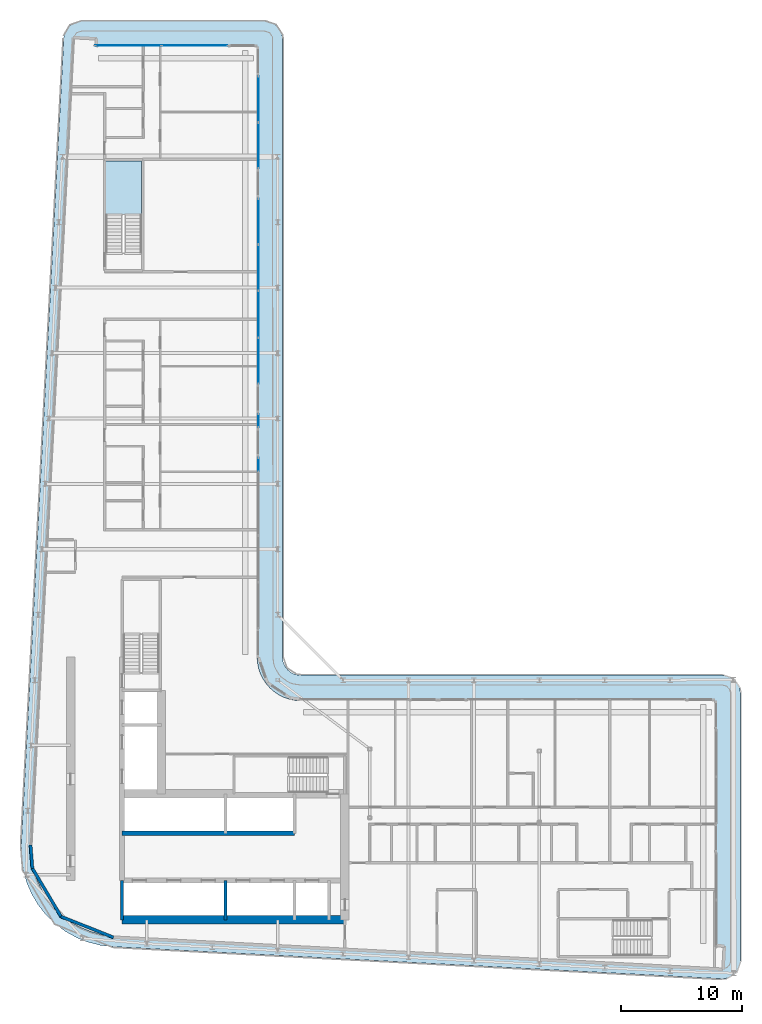
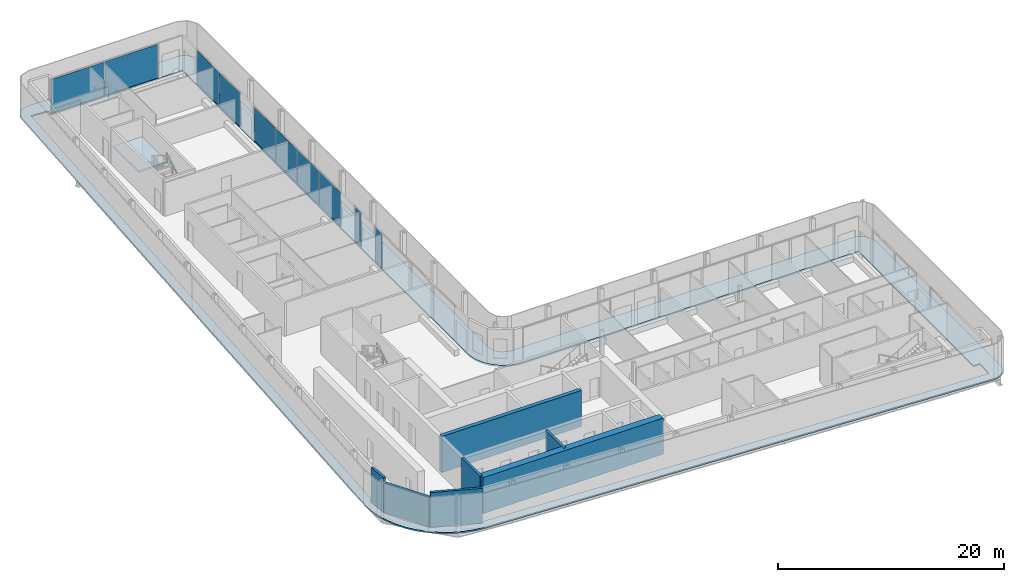
# One storey, part 9 of 22: 10 plates, 7 walls, 2 slabs, 7 elements without a shape of their own.
"""IFC4 building model written with IfcOpenShell, lengths in metres."""

from ifc_helpers import new_model, si_unit, direction, frame, frame_2d, origin, origin_2d, place, context, subcontext, project, spatial, polyline, rectangle, outline, extrude, material, layer, layer_set, type_object, element, aggregate, save


model = new_model("IFC4")

# Units and contexts
model_context = context("Model", 3, precision=1e-05, world=origin(), true_north=direction((0.0, 1.0)))
body_context = subcontext(model_context, "Body", "Model", "MODEL_VIEW")
ifc_project = project(units=[si_unit("LENGTHUNIT", "METRE"), si_unit("AREAUNIT", "SQUARE_METRE"), si_unit("VOLUMEUNIT", "CUBIC_METRE"), si_unit("PLANEANGLEUNIT", "RADIAN"), si_unit("MASSUNIT", "GRAM", prefix="KILO")], contexts=[model_context])

# Site, building, storey
site_placement = place(None, origin())
site = spatial("IfcSite", under=ifc_project, at=site_placement, CompositionType="ELEMENT")
building_placement = place(site_placement, origin())
building = spatial("IfcBuilding", under=site, at=building_placement, Name="Kheshtan School and Residences Tower", CompositionType="ELEMENT")
storey_placement = place(building_placement, frame((0.0, 0.0, 255.199951171875)))
storey = spatial("IfcBuildingStorey", under=building, at=storey_placement, Name="L60", CompositionType="ELEMENT", Elevation=255.199951171875)

# Curtain wall, plates
ifc_material_1 = material(Name="Clear low-e glass in thermally broken aluminium frame", Category="aluminium")
ifc_layer_1 = layer(ifc_material_1, 0.199951171875)
ifc_layer_set_1 = layer_set([ifc_layer_1], Name="Curtain wall CW-L")
curtain_wall_type = type_object("IfcCurtainWallType", Name="Curtain wall CW-L", PredefinedType="NOTDEFINED", material=ifc_layer_set_1)
curtain_wall_1_placement = place(storey_placement, origin())
curtain_wall_1 = element("IfcCurtainWall", 1, at=curtain_wall_1_placement, inside=storey, type_object=curtain_wall_type, Name="Curtain wall CWL7", PredefinedType="NOTDEFINED")
ifc_layer_2 = layer(ifc_material_1, 0.031982421875)
ifc_layer_set_2 = layer_set([ifc_layer_2], Name="CW-L glass panel")
plate_type = type_object("IfcPlateType", Name="CW-L glass panel", PredefinedType="CURTAIN_PANEL", material=ifc_layer_set_2)
plate_1_placement = place(storey_placement, frame((35.259033203125, 98.0, 0.0), z_axis=(0.0, 0.0, 1.0), x_axis=(1.0, 0.0, 0.0)))
plate_1 = element("IfcPlate", 2, at=plate_1_placement, type_object=plate_type, Name="CWL7 panel 1.1", PredefinedType="CURTAIN_PANEL", context=body_context, shape_type="SweptSolid", body=[
    extrude(rectangle(XDim=5.4140625, YDim=0.031982421875, at=origin_2d()), origin(), (0.0, 0.0, 1.0), 3.6298828125),
])
plate_2_placement = place(storey_placement, frame((40.73291015625, 98.0, 0.0), z_axis=(0.0, 0.0, 1.0), x_axis=(1.0, 0.0, 0.0)))
plate_2 = element("IfcPlate", 3, at=plate_2_placement, type_object=plate_type, Name="CWL7 panel 2.1", PredefinedType="CURTAIN_PANEL", context=body_context, shape_type="SweptSolid", body=[
    extrude(rectangle(XDim=5.4140625, YDim=0.031982421875, at=origin_2d()), origin(), (0.0, 0.0, 1.0), 3.6298828125),
])
aggregate(curtain_wall_1, [plate_1, plate_2])

curtain_wall_2_placement = place(storey_placement, origin())
curtain_wall_2 = element("IfcCurtainWall", 4, at=curtain_wall_2_placement, inside=storey, type_object=curtain_wall_type, Name="Curtain wall CWL8", PredefinedType="NOTDEFINED")
plate_3_placement = place(storey_placement, frame((46.0, 93.5615234375, 0.0), z_axis=(0.0, 0.0, 1.0), x_axis=(0.0, -1.0, 0.0)))
plate_3 = element("IfcPlate", 5, at=plate_3_placement, type_object=plate_type, Name="CWL8 panel 1.1", PredefinedType="CURTAIN_PANEL", context=body_context, shape_type="SweptSolid", body=[
    extrude(rectangle(XDim=3.757080078125, YDim=0.031982421875, at=origin_2d()), origin(), (0.0, 0.0, 1.0), 3.6298828125),
])
plate_4_placement = place(storey_placement, frame((46.0, 89.744384765625, 0.0), z_axis=(0.0, 0.0, 1.0), x_axis=(0.0, -1.0, 0.0)))
plate_4 = element("IfcPlate", 6, at=plate_4_placement, type_object=plate_type, Name="CWL8 panel 2.1", PredefinedType="CURTAIN_PANEL", context=body_context, shape_type="SweptSolid", body=[
    extrude(rectangle(XDim=3.757080078125, YDim=0.031982421875, at=origin_2d()), origin(), (0.0, 0.0, 1.0), 3.6298828125),
])
aggregate(curtain_wall_2, [plate_3, plate_4])

curtain_wall_3_placement = place(storey_placement, origin())
curtain_wall_3 = element("IfcCurtainWall", 7, at=curtain_wall_3_placement, inside=storey, type_object=curtain_wall_type, Name="Curtain wall CWL8", PredefinedType="NOTDEFINED")
plate_5_placement = place(storey_placement, frame((46.0, 83.467529296875, 0.0), z_axis=(0.0, 0.0, 1.0), x_axis=(0.0, -1.0, 0.0)))
plate_5 = element("IfcPlate", 8, at=plate_5_placement, type_object=plate_type, Name="CWL8 panel 1.1", PredefinedType="CURTAIN_PANEL", context=body_context, shape_type="SweptSolid", body=[
    extrude(rectangle(XDim=3.757080078125, YDim=0.031982421875, at=origin_2d()), origin(), (0.0, 0.0, 1.0), 3.6298828125),
])
plate_6_placement = place(storey_placement, frame((46.0, 79.650390625, 0.0), z_axis=(0.0, 0.0, 1.0), x_axis=(0.0, -1.0, 0.0)))
plate_6 = element("IfcPlate", 9, at=plate_6_placement, type_object=plate_type, Name="CWL8 panel 2.1", PredefinedType="CURTAIN_PANEL", context=body_context, shape_type="SweptSolid", body=[
    extrude(rectangle(XDim=3.757080078125, YDim=0.031982421875, at=origin_2d()), origin(), (0.0, 0.0, 1.0), 3.6298828125),
])
aggregate(curtain_wall_3, [plate_5, plate_6])

curtain_wall_4_placement = place(storey_placement, origin())
curtain_wall_4 = element("IfcCurtainWall", 10, at=curtain_wall_4_placement, inside=storey, type_object=curtain_wall_type, Name="Curtain wall CWL8", PredefinedType="NOTDEFINED")
plate_7_placement = place(storey_placement, frame((46.0, 75.803466796875, 0.0), z_axis=(0.0, 0.0, 1.0), x_axis=(0.0, -1.0, 0.0)))
plate_7 = element("IfcPlate", 11, at=plate_7_placement, type_object=plate_type, Name="CWL8 panel 1.1", PredefinedType="CURTAIN_PANEL", context=body_context, shape_type="SweptSolid", body=[
    extrude(rectangle(XDim=3.81689453125, YDim=0.031982421875, at=origin_2d()), origin(), (0.0, 0.0, 1.0), 3.6298828125),
])
plate_8_placement = place(storey_placement, frame((46.0, 71.95654296875, 0.0), z_axis=(0.0, 0.0, 1.0), x_axis=(0.0, -1.0, 0.0)))
plate_8 = element("IfcPlate", 12, at=plate_8_placement, type_object=plate_type, Name="CWL8 panel 2.1", PredefinedType="CURTAIN_PANEL", context=body_context, shape_type="SweptSolid", body=[
    extrude(rectangle(XDim=3.757080078125, YDim=0.031982421875, at=origin_2d()), origin(), (0.0, 0.0, 1.0), 3.6298828125),
])
aggregate(curtain_wall_4, [plate_7, plate_8])

# Curtain wall, plate
curtain_wall_5_placement = place(storey_placement, origin())
curtain_wall_5 = element("IfcCurtainWall", 13, at=curtain_wall_5_placement, inside=storey, type_object=curtain_wall_type, Name="Curtain wall CWL8g", PredefinedType="NOTDEFINED")
plate_9_placement = place(storey_placement, frame((46.0, 67.01806640625, 0.0), z_axis=(0.0, 0.0, 1.0), x_axis=(0.0, -1.0, 0.0)))
plate_9 = element("IfcPlate", 14, at=plate_9_placement, type_object=plate_type, Name="CWL8g panel 1.1", PredefinedType="CURTAIN_PANEL", context=body_context, shape_type="SweptSolid", body=[
    extrude(rectangle(XDim=1.080078125, YDim=0.031982421875, at=origin_2d()), origin(), (0.0, 0.0, 1.0), 3.6298828125),
])
aggregate(curtain_wall_5, [plate_9])

curtain_wall_6_placement = place(storey_placement, origin())
curtain_wall_6 = element("IfcCurtainWall", 15, at=curtain_wall_6_placement, inside=storey, type_object=curtain_wall_type, Name="Curtain wall CWL8k", PredefinedType="NOTDEFINED")
plate_10_placement = place(storey_placement, frame((46.0, 63.39404296875, 0.0), z_axis=(0.0, 0.0, 1.0), x_axis=(0.0, -1.0, 0.0)))
plate_10 = element("IfcPlate", 16, at=plate_10_placement, type_object=plate_type, Name="CWL8k panel 1.1", PredefinedType="CURTAIN_PANEL", context=body_context, shape_type="SweptSolid", body=[
    extrude(rectangle(XDim=1.1279296875, YDim=0.031982421875, at=origin_2d()), origin(), (0.0, 0.0, 1.0), 3.6298828125),
])
aggregate(curtain_wall_6, [plate_10])

# Slab
ifc_material_2 = material(Name="Concrete C40/50", Category="concrete")
ifc_layer_3 = layer(ifc_material_2, 0.14990234375)
ifc_layer_set_3 = layer_set([ifc_layer_3], Name="Loggia balcony slab 150 Concrete C40/50")
slab_type_1 = type_object("IfcSlabType", Name="Loggia balcony slab 150 Concrete C40/50", PredefinedType="FLOOR", material=ifc_layer_set_3)
slab_1_placement = place(storey_placement, frame((0.0, 0.0, -0.14990234375)))
element("IfcSlab", 17, at=slab_1_placement, inside=storey, type_object=slab_type_1, Name="Loggia balcony slab L60", PredefinedType="FLOOR", context=body_context, shape_type="SweptSolid", body=[
    extrude(outline(polyline([(28.4580078125, 26.222900390625), (28.45703125, 26.222900390625), (28.45703125, 26.22412109375), (28.4560546875, 26.22412109375), (27.81494140625, 27.0390625), (27.281005859375, 27.93798828125), (26.867919921875, 28.89990234375), (26.583984375, 29.89990234375), (26.583984375, 29.906982421875), (26.43408203125, 30.943115234375), (26.419921875, 31.989013671875), (29.925048828125, 98.5791015625), (29.930908203125, 98.626953125), (29.930908203125, 98.6279296875), (29.929931640625, 98.6279296875), (29.929931640625, 98.62890625), (29.928955078125, 98.62890625), (29.928955078125, 98.6298828125), (29.927978515625, 98.6298828125), (29.927978515625, 98.631103515625), (29.927001953125, 98.631103515625), (29.927001953125, 98.632080078125), (29.927001953125, 98.633056640625), (29.945068359375, 98.781005859375), (29.945068359375, 98.783935546875), (29.945068359375, 98.784912109375), (29.946044921875, 98.784912109375), (29.946044921875, 98.785888671875), (29.947021484375, 98.785888671875), (29.947021484375, 98.787109375), (29.947998046875, 98.787109375), (29.948974609375, 98.787109375), (29.948974609375, 98.7880859375), (29.949951171875, 98.7880859375), (29.949951171875, 98.7890625), (29.949951171875, 98.791015625), (30.0029296875, 98.98388671875), (30.083984375, 99.175048828125), (30.18896484375, 99.35302734375), (30.31103515625, 99.507080078125), (30.31201171875, 99.507080078125), (30.31201171875, 99.508056640625), (30.31298828125, 99.508056640625), (30.31298828125, 99.509033203125), (30.31396484375, 99.509033203125), (30.31396484375, 99.510009765625), (30.31494140625, 99.510009765625), (30.31494140625, 99.510986328125), (30.31591796875, 99.510986328125), (30.31591796875, 99.511962890625), (30.31689453125, 99.511962890625), (30.31689453125, 99.512939453125), (30.318115234375, 99.512939453125), (30.322021484375, 99.512939453125), (30.322998046875, 99.512939453125), (30.322998046875, 99.513916015625), (30.468017578125, 99.656982421875), (30.468994140625, 99.656982421875), (30.468994140625, 99.657958984375), (30.469970703125, 99.657958984375), (30.469970703125, 99.658935546875), (30.470947265625, 99.658935546875), (30.470947265625, 99.659912109375), (30.471923828125, 99.659912109375), (30.471923828125, 99.660888671875), (30.472900390625, 99.660888671875), (30.472900390625, 99.662109375), (30.47412109375, 99.662109375), (30.47412109375, 99.6630859375), (30.47509765625, 99.6630859375), (30.47509765625, 99.6640625), (30.635986328125, 99.777099609375), (30.820068359375, 99.873046875), (31.007080078125, 99.943115234375), (31.013916015625, 99.943115234375), (31.217041015625, 99.986083984375), (31.423095703125, 100.0), (46.5, 100.0), (46.696044921875, 99.987060546875), (46.887939453125, 99.948974609375), (46.89501953125, 99.948974609375), (47.073974609375, 99.885986328125), (47.242919921875, 99.801025390625), (47.243896484375, 99.801025390625), (47.2470703125, 99.801025390625), (47.248046875, 99.801025390625), (47.248046875, 99.802001953125), (47.2490234375, 99.802001953125), (47.2490234375, 99.802978515625), (47.25, 99.802978515625), (47.2529296875, 99.802978515625), (47.25390625, 99.802978515625), (47.25390625, 99.802001953125), (47.2548828125, 99.802001953125), (47.2548828125, 99.801025390625), (47.256103515625, 99.801025390625), (47.256103515625, 99.800048828125), (47.257080078125, 99.800048828125), (47.257080078125, 99.799072265625), (47.258056640625, 99.799072265625), (47.258056640625, 99.798095703125), (47.412109375, 99.696044921875), (47.4130859375, 99.696044921875), (47.4130859375, 99.695068359375), (47.4140625, 99.695068359375), (47.4140625, 99.694091796875), (47.4140625, 99.68994140625), (47.4140625, 99.68896484375), (47.4150390625, 99.68896484375), (47.4150390625, 99.68798828125), (47.416015625, 99.68798828125), (47.416015625, 99.68701171875), (47.4169921875, 99.68701171875), (47.4169921875, 99.68603515625), (47.554931640625, 99.568115234375), (47.554931640625, 99.56689453125), (47.555908203125, 99.56689453125), (47.555908203125, 99.56591796875), (47.556884765625, 99.56591796875), (47.556884765625, 99.56494140625), (47.55810546875, 99.56494140625), (47.55810546875, 99.56396484375), (47.55908203125, 99.56396484375), (47.55908203125, 99.56298828125), (47.56005859375, 99.56298828125), (47.56005859375, 99.56201171875), (47.56103515625, 99.56201171875), (47.56201171875, 99.56103515625), (47.56201171875, 99.56005859375), (47.56298828125, 99.56005859375), (47.56298828125, 99.55908203125), (47.56396484375, 99.55908203125), (47.56396484375, 99.55810546875), (47.56494140625, 99.55810546875), (47.56494140625, 99.556884765625), (47.56591796875, 99.556884765625), (47.56591796875, 99.555908203125), (47.56689453125, 99.555908203125), (47.56689453125, 99.554931640625), (47.568115234375, 99.554931640625), (47.68505859375, 99.41796875), (47.68603515625, 99.41796875), (47.68603515625, 99.4169921875), (47.68701171875, 99.4169921875), (47.68701171875, 99.416015625), (47.68798828125, 99.416015625), (47.68798828125, 99.4150390625), (47.68896484375, 99.4150390625), (47.68896484375, 99.4140625), (47.68994140625, 99.4140625), (47.694091796875, 99.4140625), (47.695068359375, 99.4140625), (47.695068359375, 99.4130859375), (47.696044921875, 99.4130859375), (47.696044921875, 99.412109375), (47.797119140625, 99.259033203125), (47.798095703125, 99.259033203125), (47.798095703125, 99.258056640625), (47.799072265625, 99.258056640625), (47.799072265625, 99.257080078125), (47.800048828125, 99.257080078125), (47.800048828125, 99.256103515625), (47.801025390625, 99.256103515625), (47.801025390625, 99.2548828125), (47.802001953125, 99.2548828125), (47.802001953125, 99.25390625), (47.802978515625, 99.25390625), (47.802978515625, 99.2529296875), (47.802978515625, 99.25), (47.802978515625, 99.2490234375), (47.802001953125, 99.2490234375), (47.802001953125, 99.248046875), (47.801025390625, 99.248046875), (47.801025390625, 99.2470703125), (47.801025390625, 99.242919921875), (47.801025390625, 99.241943359375), (47.885986328125, 99.073974609375), (47.948974609375, 98.89501953125), (47.948974609375, 98.887939453125), (47.987060546875, 98.696044921875), (48.0, 98.5), (48.0, 47.5), (48.012939453125, 47.303955078125), (48.051025390625, 47.113037109375), (48.051025390625, 47.10693359375), (48.051025390625, 47.10595703125), (48.114013671875, 46.926025390625), (48.200927734375, 46.75), (48.31005859375, 46.5869140625), (48.431884765625, 46.444091796875), (48.43310546875, 46.444091796875), (48.43310546875, 46.443115234375), (48.43408203125, 46.443115234375), (48.43408203125, 46.44189453125), (48.43505859375, 46.44189453125), (48.43505859375, 46.44091796875), (48.43603515625, 46.44091796875), (48.43603515625, 46.43994140625), (48.43701171875, 46.43994140625), (48.43701171875, 46.43896484375), (48.43798828125, 46.43896484375), (48.43896484375, 46.43798828125), (48.43896484375, 46.43701171875), (48.43994140625, 46.43701171875), (48.43994140625, 46.43603515625), (48.44091796875, 46.43603515625), (48.44091796875, 46.43505859375), (48.44189453125, 46.43505859375), (48.44189453125, 46.43408203125), (48.443115234375, 46.43408203125), (48.443115234375, 46.43310546875), (48.444091796875, 46.43310546875), (48.444091796875, 46.431884765625), (48.5869140625, 46.31005859375), (48.75, 46.200927734375), (48.926025390625, 46.114013671875), (49.10595703125, 46.051025390625), (49.10693359375, 46.051025390625), (49.113037109375, 46.051025390625), (49.303955078125, 46.012939453125), (49.5, 46.0), (84.300048828125, 46.0), (84.49609375, 45.987060546875), (84.68798828125, 45.948974609375), (84.695068359375, 45.948974609375), (84.8740234375, 45.885986328125), (85.0419921875, 45.801025390625), (85.04296875, 45.801025390625), (85.047119140625, 45.801025390625), (85.048095703125, 45.801025390625), (85.048095703125, 45.802001953125), (85.049072265625, 45.802001953125), (85.049072265625, 45.802978515625), (85.050048828125, 45.802978515625), (85.052978515625, 45.802978515625), (85.053955078125, 45.802978515625), (85.053955078125, 45.802001953125), (85.054931640625, 45.802001953125), (85.054931640625, 45.801025390625), (85.055908203125, 45.801025390625), (85.055908203125, 45.800048828125), (85.056884765625, 45.800048828125), (85.056884765625, 45.799072265625), (85.05810546875, 45.799072265625), (85.05810546875, 45.798095703125), (85.05908203125, 45.798095703125), (85.05908203125, 45.797119140625), (85.06005859375, 45.797119140625), (85.06005859375, 45.7958984375), (85.2119140625, 45.696044921875), (85.212890625, 45.696044921875), (85.212890625, 45.695068359375), (85.214111328125, 45.695068359375), (85.214111328125, 45.694091796875), (85.214111328125, 45.68994140625), (85.214111328125, 45.68896484375), (85.215087890625, 45.68896484375), (85.215087890625, 45.68798828125), (85.216064453125, 45.68798828125), (85.216064453125, 45.68701171875), (85.217041015625, 45.68701171875), (85.217041015625, 45.68603515625), (85.218017578125, 45.68603515625), (85.218017578125, 45.68505859375), (85.218994140625, 45.68505859375), (85.218994140625, 45.68408203125), (85.35498046875, 45.568115234375), (85.35498046875, 45.56689453125), (85.35595703125, 45.56689453125), (85.35595703125, 45.56591796875), (85.35693359375, 45.56591796875), (85.35693359375, 45.56494140625), (85.35791015625, 45.56494140625), (85.35791015625, 45.56396484375), (85.35888671875, 45.56396484375), (85.35888671875, 45.56298828125), (85.360107421875, 45.56298828125), (85.360107421875, 45.56201171875), (85.361083984375, 45.56201171875), (85.362060546875, 45.56103515625), (85.362060546875, 45.56005859375), (85.363037109375, 45.56005859375), (85.363037109375, 45.55908203125), (85.364013671875, 45.55908203125), (85.364013671875, 45.55810546875), (85.364990234375, 45.55810546875), (85.364990234375, 45.556884765625), (85.365966796875, 45.556884765625), (85.365966796875, 45.555908203125), (85.366943359375, 45.555908203125), (85.366943359375, 45.554931640625), (85.367919921875, 45.554931640625), (85.48193359375, 45.4208984375), (85.48291015625, 45.4208984375), (85.48291015625, 45.419921875), (85.48388671875, 45.419921875), (85.48388671875, 45.4189453125), (85.485107421875, 45.4189453125), (85.485107421875, 45.41796875), (85.486083984375, 45.41796875), (85.486083984375, 45.4169921875), (85.487060546875, 45.4169921875), (85.487060546875, 45.416015625), (85.488037109375, 45.416015625), (85.488037109375, 45.4150390625), (85.489013671875, 45.4150390625), (85.489013671875, 45.4140625), (85.489990234375, 45.4140625), (85.493896484375, 45.4140625), (85.4951171875, 45.4140625), (85.4951171875, 45.4130859375), (85.49609375, 45.4130859375), (85.49609375, 45.412109375), (85.593994140625, 45.261962890625), (85.594970703125, 45.261962890625), (85.594970703125, 45.260986328125), (85.595947265625, 45.260986328125), (85.595947265625, 45.260009765625), (85.596923828125, 45.260009765625), (85.596923828125, 45.259033203125), (85.597900390625, 45.259033203125), (85.597900390625, 45.258056640625), (85.59912109375, 45.258056640625), (85.59912109375, 45.257080078125), (85.60009765625, 45.257080078125), (85.60009765625, 45.256103515625), (85.60107421875, 45.256103515625), (85.60107421875, 45.2548828125), (85.60205078125, 45.2548828125), (85.60205078125, 45.25390625), (85.60302734375, 45.25390625), (85.60302734375, 45.2529296875), (85.60302734375, 45.25), (85.60302734375, 45.2490234375), (85.60205078125, 45.2490234375), (85.60205078125, 45.248046875), (85.60107421875, 45.248046875), (85.60107421875, 45.2470703125), (85.60107421875, 45.240966796875), (85.60107421875, 45.239990234375), (85.68603515625, 45.073974609375), (85.7490234375, 44.89501953125), (85.7490234375, 44.887939453125), (85.787109375, 44.696044921875), (85.800048828125, 44.5), (85.800048828125, 22.43408203125), (85.785888671875, 22.23095703125), (85.7451171875, 22.032958984375), (85.7451171875, 22.02587890625), (85.677978515625, 21.841064453125), (85.5859375, 21.660888671875), (85.470947265625, 21.49609375), (85.470947265625, 21.4951171875), (85.470947265625, 21.493896484375), (85.470947265625, 21.492919921875), (85.471923828125, 21.492919921875), (85.471923828125, 21.491943359375), (85.471923828125, 21.489990234375), (85.471923828125, 21.489013671875), (85.470947265625, 21.489013671875), (85.470947265625, 21.488037109375), (85.337890625, 21.343994140625), (85.3349609375, 21.341064453125), (85.333984375, 21.341064453125), (85.333984375, 21.340087890625), (85.3330078125, 21.340087890625), (85.3310546875, 21.340087890625), (85.330078125, 21.340087890625), (85.330078125, 21.341064453125), (85.3291015625, 21.341064453125), (85.327880859375, 21.341064453125), (85.326904296875, 21.341064453125), (85.176025390625, 21.216064453125), (85.00390625, 21.10888671875), (84.819091796875, 21.02587890625), (84.631103515625, 20.968994140625), (84.6240234375, 20.968994140625), (84.424072265625, 20.93896484375), (84.220947265625, 20.93603515625), (33.989013671875, 23.580078125), (33.94189453125, 23.5859375), (33.94091796875, 23.5859375), (33.93994140625, 23.5859375), (33.93994140625, 23.5849609375), (33.93896484375, 23.5849609375), (33.93896484375, 23.583984375), (33.93798828125, 23.583984375), (33.93798828125, 23.5830078125), (33.93701171875, 23.5830078125), (33.93701171875, 23.58203125), (33.93603515625, 23.58203125), (33.93505859375, 23.58203125), (32.952880859375, 23.697998046875), (32.949951171875, 23.697998046875), (32.948974609375, 23.697998046875), (32.948974609375, 23.698974609375), (32.947998046875, 23.698974609375), (32.947998046875, 23.699951171875), (32.947021484375, 23.699951171875), (32.947021484375, 23.700927734375), (32.947021484375, 23.702880859375), (32.947021484375, 23.7041015625), (32.946044921875, 23.7041015625), (32.946044921875, 23.705078125), (32.945068359375, 23.705078125), (32.944091796875, 23.705078125), (31.93603515625, 23.9609375), (31.928955078125, 23.9609375), (30.964111328125, 24.34912109375), (30.051025390625, 24.860107421875), (29.218994140625, 25.47900390625), (29.218994140625, 25.47998046875), (29.218017578125, 25.47998046875), (29.218017578125, 25.48095703125), (29.217041015625, 25.48095703125), (29.217041015625, 25.48193359375), (29.216064453125, 25.48193359375), (29.216064453125, 25.48291015625), (29.215087890625, 25.48291015625), (29.215087890625, 25.48388671875), (29.214111328125, 25.48388671875), (29.214111328125, 25.485107421875), (29.212890625, 25.485107421875), (29.212890625, 25.486083984375), (29.2119140625, 25.486083984375), (28.468017578125, 26.217041015625), (28.468017578125, 26.218017578125), (28.467041015625, 26.218017578125), (28.462890625, 26.218017578125), (28.4619140625, 26.218017578125), (28.4619140625, 26.218994140625), (28.4609375, 26.218994140625), (28.4609375, 26.219970703125), (28.4599609375, 26.219970703125), (28.4599609375, 26.220947265625), (28.458984375, 26.220947265625), (28.458984375, 26.221923828125), (28.4580078125, 26.221923828125), (28.4580078125, 26.222900390625)]), holes=[polyline([(29.12890625, 26.824951171875), (29.12890625, 26.823974609375), (29.1298828125, 26.823974609375), (29.1298828125, 26.822998046875), (29.131103515625, 26.822998046875), (29.131103515625, 26.822021484375), (29.132080078125, 26.822021484375), (29.132080078125, 26.821044921875), (29.133056640625, 26.821044921875), (29.133056640625, 26.820068359375), (29.134033203125, 26.820068359375), (29.7939453125, 26.173095703125), (29.7939453125, 26.172119140625), (29.794921875, 26.172119140625), (29.798095703125, 26.172119140625), (29.799072265625, 26.172119140625), (29.799072265625, 26.1708984375), (29.800048828125, 26.1708984375), (29.800048828125, 26.169921875), (29.801025390625, 26.169921875), (29.801025390625, 26.1689453125), (29.802001953125, 26.1689453125), (29.802001953125, 26.16796875), (29.802978515625, 26.16796875), (29.802978515625, 26.1669921875), (29.803955078125, 26.1669921875), (29.803955078125, 26.166015625), (30.541015625, 25.616943359375), (31.35205078125, 25.1630859375), (32.208984375, 24.819091796875), (32.2099609375, 24.819091796875), (32.216064453125, 24.819091796875), (33.114990234375, 24.590087890625), (34.06591796875, 24.47705078125), (84.238037109375, 21.8359375), (84.264892578125, 21.8369140625), (84.26611328125, 21.8369140625), (84.26708984375, 21.8369140625), (84.26708984375, 21.837890625), (84.26806640625, 21.837890625), (84.26806640625, 21.839111328125), (84.26806640625, 21.840087890625), (84.35791015625, 23.529052734375), (84.35791015625, 23.530029296875), (84.35791015625, 23.531005859375), (84.35693359375, 23.531005859375), (84.35693359375, 23.531982421875), (84.35595703125, 23.531982421875), (84.35498046875, 23.531982421875), (83.700927734375, 23.56689453125), (83.699951171875, 23.56689453125), (83.699951171875, 23.568115234375), (83.699951171875, 43.89794921875), (83.699951171875, 43.89892578125), (83.698974609375, 43.89892578125), (83.698974609375, 43.89990234375), (83.697998046875, 43.89990234375), (49.429931640625, 43.89990234375), (49.030029296875, 43.927001953125), (48.569091796875, 44.01806640625), (48.56201171875, 44.01806640625), (48.1201171875, 44.169921875), (47.697021484375, 44.37890625), (47.30810546875, 44.638916015625), (46.95703125, 44.944091796875), (46.95703125, 44.945068359375), (46.9560546875, 44.945068359375), (46.9560546875, 44.946044921875), (46.955078125, 44.946044921875), (46.955078125, 44.947021484375), (46.9541015625, 44.947021484375), (46.9541015625, 44.947998046875), (46.952880859375, 44.947998046875), (46.952880859375, 44.948974609375), (46.951904296875, 44.948974609375), (46.951904296875, 44.949951171875), (46.951904296875, 44.950927734375), (46.950927734375, 44.950927734375), (46.950927734375, 44.951904296875), (46.949951171875, 44.951904296875), (46.948974609375, 44.951904296875), (46.948974609375, 44.952880859375), (46.947998046875, 44.952880859375), (46.947998046875, 44.9541015625), (46.947021484375, 44.9541015625), (46.947021484375, 44.955078125), (46.946044921875, 44.955078125), (46.946044921875, 44.9560546875), (46.945068359375, 44.9560546875), (46.945068359375, 44.95703125), (46.944091796875, 44.95703125), (46.638916015625, 45.30810546875), (46.37890625, 45.697021484375), (46.169921875, 46.1201171875), (46.01806640625, 46.56201171875), (46.01806640625, 46.569091796875), (45.927001953125, 47.030029296875), (45.89990234375, 47.429931640625), (45.89990234375, 97.89794921875), (45.89990234375, 97.89892578125), (45.89892578125, 97.89892578125), (45.89892578125, 97.89990234375), (45.89794921875, 97.89990234375), (32.492919921875, 97.89990234375), (32.491943359375, 97.89990234375), (32.52099609375, 98.43896484375), (32.52099609375, 98.43994140625), (32.52099609375, 98.44091796875), (32.52001953125, 98.44091796875), (32.52001953125, 98.44189453125), (32.51904296875, 98.44189453125), (32.51806640625, 98.44189453125), (30.8291015625, 98.531982421875), (30.827880859375, 98.531982421875), (30.826904296875, 98.531982421875), (30.826904296875, 98.531005859375), (30.825927734375, 98.531005859375), (30.825927734375, 98.530029296875), (30.825927734375, 98.529052734375), (30.822021484375, 98.5009765625), (27.320068359375, 31.970947265625), (27.3330078125, 31.013916015625), (27.466064453125, 30.093994140625), (27.466064453125, 30.087890625), (27.466064453125, 30.0869140625), (27.718017578125, 29.200927734375), (28.0849609375, 28.345947265625), (28.55908203125, 27.550048828125), (29.126953125, 26.825927734375), (29.1279296875, 26.825927734375), (29.1279296875, 26.824951171875), (29.12890625, 26.824951171875)])]), origin(), (0.0, 0.0, 1.0), 0.14990234375),
])

# Stair, slab
stair_type = type_object("IfcStairType", Name="Exit stair, half-turn", PredefinedType="HALF_TURN_STAIR", material=ifc_material_2)
stair_placement = place(storey_placement, origin())
stair = element("IfcStair", 18, at=stair_placement, inside=storey, type_object=stair_type, Name="L60 Protected Exit Stair ST3", PredefinedType="HALF_TURN_STAIR")
ifc_layer_4 = layer(ifc_material_2, 0.199951171875)
ifc_layer_set_4 = layer_set([ifc_layer_4], Name="Stair landing 200 Concrete C40/50")
slab_type_2 = type_object("IfcSlabType", Name="Stair landing 200 Concrete C40/50", PredefinedType="LANDING", material=ifc_layer_set_4)
slab_2_placement = place(storey_placement, frame((0.0, 0.0, 1.75)))
slab_2 = element("IfcSlab", 19, at=slab_2_placement, type_object=slab_type_2, Name="ST3 landing 1", PredefinedType="LANDING", context=body_context, shape_type="SweptSolid", body=[
    extrude(outline(polyline([(36.35009765625, 83.97998046875), (36.35009765625, 88.4599609375), (33.39990234375, 88.4599609375), (33.39990234375, 83.97998046875), (36.35009765625, 83.97998046875)])), origin(), (0.0, 0.0, 1.0), 0.199951171875),
])
aggregate(stair, [slab_2])

# Walls
ifc_material_3 = material(Name="Concrete C50/60", Category="concrete")
ifc_layer_5 = layer(ifc_material_3, 0.39990234375)
ifc_layer_set_5 = layer_set([ifc_layer_5], Name="Core wall 400 Concrete C50/60")
wall_type_1 = type_object("IfcWallType", Name="Core wall 400 Concrete C50/60", PredefinedType="SHEAR", material=ifc_layer_set_5)
wall_1_placement = place(storey_placement, frame((34.75, 32.949951171875, 0.0), z_axis=(0.0, 0.0, 1.0), x_axis=(1.0, 0.0, 0.0)))
element("IfcWall", 20, at=wall_1_placement, inside=storey, type_object=wall_type_1, Name="Core wall CW-HALL-S2", PredefinedType="SHEAR", context=body_context, shape_type="SweptSolid", body=[
    extrude(rectangle(XDim=14.25, YDim=0.39990234375, at=frame_2d((7.125, 0.0))), origin(), (0.0, 0.0, 1.0), 3.900146484375),
])
ifc_material_4 = material(Name="Concrete C70/85", Category="concrete")
ifc_layer_6 = layer(ifc_material_4, 0.699951171875)
ifc_layer_set_6 = layer_set([ifc_layer_6], Name="Core wall 700 Concrete C70/85")
wall_type_2 = type_object("IfcWallType", Name="Core wall 700 Concrete C70/85", PredefinedType="SHEAR", material=ifc_layer_set_6)
wall_2_placement = place(storey_placement, frame((34.75, 25.800048828125, 0.0), z_axis=(0.0, 0.0, 1.0), x_axis=(1.0, 0.0, 0.0)))
element("IfcWall", 21, at=wall_2_placement, inside=storey, type_object=wall_type_2, Name="Core wall CW-REAR-S", PredefinedType="SHEAR", context=body_context, shape_type="SweptSolid", body=[
    extrude(rectangle(XDim=18.39990234375, YDim=0.699951171875, at=frame_2d((9.199951171875, 0.0))), origin(), (0.0, 0.0, 1.0), 3.900146484375),
])
ifc_material_5 = material(Name="Concrete C40/50 with ceramic cladding and mineral wool insulation", Category="concrete")
ifc_layer_7 = layer(ifc_material_5, 0.25)
ifc_layer_set_7 = layer_set([ifc_layer_7], Name="External wall 250 ceramic clad")
wall_type_3 = type_object("IfcWallType", Name="External wall 250 ceramic clad", PredefinedType="SOLIDWALL", material=ifc_layer_set_7)
wall_3_placement = place(storey_placement, frame((34.0390625, 24.35302734375, 0.0), z_axis=(0.0, 0.0, 1.0), x_axis=(-0.929352825399, 0.369192803184, 0.0)))
element("IfcWall", 22, at=wall_3_placement, inside=storey, type_object=wall_type_3, Name="External wall L60 1", PredefinedType="SOLIDWALL", context=body_context, shape_type="SweptSolid", body=[
    extrude(rectangle(XDim=4.656005859375, YDim=0.25, at=frame_2d((2.328125, 0.0))), origin(), (0.0, 0.0, 1.0), 3.75),
])
wall_4_placement = place(storey_placement, frame((29.7119140625, 26.072021484375, 0.0), z_axis=(0.0, 0.0, 1.0), x_axis=(-0.511028049012, 0.859564036662, 0.0)))
element("IfcWall", 23, at=wall_4_placement, inside=storey, type_object=wall_type_3, Name="External wall L60 2", PredefinedType="SOLIDWALL", context=body_context, shape_type="SweptSolid", body=[
    extrude(rectangle(XDim=4.633544921875, YDim=0.25, at=frame_2d((2.31689453125, 0.0))), origin(), (0.0, 0.0, 1.0), 3.217041015625),
])
wall_5_placement = place(storey_placement, frame((27.343994140625, 30.054931640625, 0.0), z_axis=(0.0, 0.0, 1.0), x_axis=(-0.077571675317, 0.99698677784, 0.0)))
element("IfcWall", 24, at=wall_5_placement, inside=storey, type_object=wall_type_3, Name="External wall L60 3", PredefinedType="SOLIDWALL", context=body_context, shape_type="SweptSolid", body=[
    extrude(rectangle(XDim=1.919921875, YDim=0.25, at=frame_2d((0.9599609375, 0.0))), origin(), (0.0, 0.0, 1.0), 3.75),
])
ifc_material_6 = material(Name="Fire-board shaft wall system")
ifc_layer_8 = layer(ifc_material_6, 0.25)
ifc_layer_set_8 = layer_set([ifc_layer_8], Name="Shaft lining wall 250")
wall_type_4 = type_object("IfcWallType", Name="Shaft lining wall 250", PredefinedType="PARTITIONING", material=ifc_layer_set_8)
for number, where, z_axis, x_axis, name in (
    (25, (34.75, 25.800048828125, 0.0), (0.0, 0.0, 1.0), (0.0, 1.0, 0.0), "Shaft lining wall"),
    (26, (43.300048828125, 25.800048828125, 0.0), (0.0, 0.0, 1.0), (0.0, 1.0, 0.0), "Shaft lining wall"),
):
    element("IfcWall", number, at=place(storey_placement, frame(where, z_axis=z_axis, x_axis=x_axis)), inside=storey, type_object=wall_type_4, Name=name, PredefinedType="PARTITIONING", context=body_context, shape_type="SweptSolid", body=[
        extrude(rectangle(XDim=3.25, YDim=0.25, at=frame_2d((1.625, 0.0))), origin(), (0.0, 0.0, 1.0), 3.900146484375),
    ])

save(model, "model.ifc")
